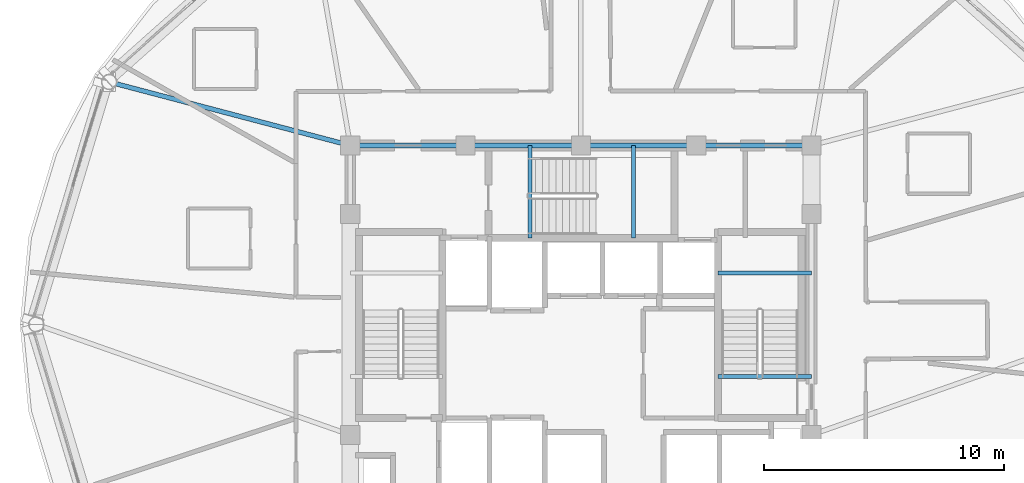
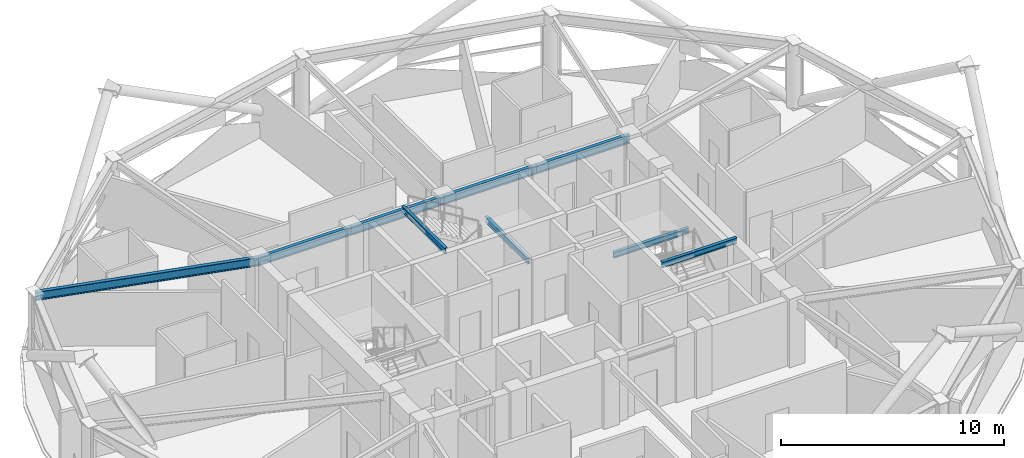
# One storey, part 10 of 30: 9 beams.
"""IFC4 building model written with IfcOpenShell, lengths in metres."""

from ifc_helpers import new_model, si_unit, direction, frame, origin, origin_2d, place, context, subcontext, project, spatial, i_section, extrude, material, material_profile, profile_set, type_object, element, save


model = new_model("IFC4")

# Units and contexts
model_context = context("Model", 3, precision=1e-05, world=origin(), true_north=direction((0.0, 1.0)))
body_context = subcontext(model_context, "Body", "Model", "MODEL_VIEW")
ifc_project = project(units=[si_unit("LENGTHUNIT", "METRE"), si_unit("AREAUNIT", "SQUARE_METRE"), si_unit("VOLUMEUNIT", "CUBIC_METRE"), si_unit("PLANEANGLEUNIT", "RADIAN"), si_unit("MASSUNIT", "GRAM", prefix="KILO")], contexts=[model_context])

# Site, building, storey
site_placement = place(None, origin())
site = spatial("IfcSite", under=ifc_project, at=site_placement, CompositionType="ELEMENT")
building_placement = place(site_placement, origin())
building = spatial("IfcBuilding", under=site, at=building_placement, Name="Vantalir Tower", CompositionType="ELEMENT")
storey_placement = place(building_placement, frame((0.0, 0.0, 189.89990234375)))
storey = spatial("IfcBuildingStorey", under=building, at=storey_placement, Name="L47", CompositionType="ELEMENT", Elevation=189.89990234375)

# Beams
ifc_material = material(Name="Steel S355", Category="steel")
ifc_material_profile_1 = material_profile(ifc_material, i_section(OverallWidth=0.166015625, OverallDepth=0.306884765625, WebThickness=0.006591796875, FlangeThickness=0.01171875, at=origin_2d()), Name="Steel S355")
ifc_profile_set_1 = profile_set([ifc_material_profile_1], Name="Steel S355")
beam_type_1 = type_object("IfcBeamType", Name="BM-JS-305x165", PredefinedType="JOIST", material=ifc_profile_set_1)
for number, where, z_axis, x_axis, name in (
    (1, (37.2099609375, 22.8349609375, 3.59619140625), (1.0, 0.0, 0.0), (0.0, 1.0, 0.0), "L48 Stair ST2 Well Nosing Trimmer Beam"),
    (2, (37.2099609375, 27.14501953125, 1.52099609375), (1.0, 0.0, 0.0), (0.0, 1.0, 0.0), "L47 Stair ST2 Half-Landing Support Beam"),
):
    element("IfcBeam", number, at=place(storey_placement, frame(where, z_axis=z_axis, x_axis=x_axis)), inside=storey, type_object=beam_type_1, Name=name, PredefinedType="JOIST", context=body_context, shape_type="SweptSolid", body=[
        extrude(i_section(OverallWidth=0.166015625, OverallDepth=0.306884765625, WebThickness=0.006591796875, FlangeThickness=0.01171875, at=origin_2d()), origin(), (0.0, 0.0, 1.0), 3.89013671875),
    ])
for number, where, z_axis, x_axis, name in (
    (3, (29.385009765625, 28.60009765625, 3.59619140625), (0.0, 1.0, 0.0), (-1.0, 0.0, 0.0), "L48 Stair ST3 Well Nosing Trimmer Beam"),
    (4, (33.695068359375, 28.60009765625, 1.52099609375), (0.0, 1.0, 0.0), (-1.0, 0.0, 0.0), "L47 Stair ST3 Half-Landing Support Beam"),
):
    element("IfcBeam", number, at=place(storey_placement, frame(where, z_axis=z_axis, x_axis=x_axis)), inside=storey, type_object=beam_type_1, Name=name, PredefinedType="JOIST", context=body_context, shape_type="SweptSolid", body=[
        extrude(i_section(OverallWidth=0.166015625, OverallDepth=0.306884765625, WebThickness=0.006591796875, FlangeThickness=0.01171875, at=origin_2d()), origin(), (0.0, 0.0, 1.0), 3.849853515625),
    ])
ifc_material_profile_2 = material_profile(ifc_material, i_section(OverallWidth=0.19189453125, OverallDepth=0.462890625, WebThickness=0.010498046875, FlangeThickness=0.017578125, at=origin_2d()), Name="Steel S355")
ifc_profile_set_2 = profile_set([ifc_material_profile_2], Name="Steel S355")
beam_type_2 = type_object("IfcBeamType", Name="BM-RB-457x191", PredefinedType="BEAM", material=ifc_profile_set_2)
for number, where, z_axis, x_axis, name in (
    (5, (41.10009765625, 32.449951171875, 3.338134765625), (-1.0, 0.0, 0.0), (0.0, -1.0, 0.0), "L47 Core Coupling Girder 08"),
    (6, (36.300048828125, 32.449951171875, 3.338134765625), (-1.0, 0.0, 0.0), (0.0, -1.0, 0.0), "L47 Core Coupling Girder 09"),
    (7, (31.5, 32.449951171875, 3.338134765625), (-1.0, 0.0, 0.0), (0.0, -1.0, 0.0), "L47 Core Coupling Girder 10"),
    (8, (26.699951171875, 32.449951171875, 3.338134765625), (-1.0, 0.0, 0.0), (0.0, -1.0, 0.0), "L47 Core Coupling Girder 11"),
):
    element("IfcBeam", number, at=place(storey_placement, frame(where, z_axis=z_axis, x_axis=x_axis)), inside=storey, type_object=beam_type_2, Name=name, PredefinedType="BEAM", context=body_context, shape_type="SweptSolid", body=[
        extrude(i_section(OverallWidth=0.19189453125, OverallDepth=0.462890625, WebThickness=0.010498046875, FlangeThickness=0.017578125, at=origin_2d()), origin(), (0.0, 0.0, 1.0), 4.800048828125),
    ])
beam_placement = place(storey_placement, frame((11.862060546875, 35.093994140625, 3.338134765625), z_axis=(0.967015102182, -0.254719045522, 0.0), x_axis=(0.254719045522, 0.967015102182, 0.0)))
element("IfcBeam", 9, at=beam_placement, inside=storey, type_object=beam_type_2, Name="L47 Radial Floor Beam 06", PredefinedType="BEAM", context=body_context, shape_type="SweptSolid", body=[
    extrude(i_section(OverallWidth=0.19189453125, OverallDepth=0.462890625, WebThickness=0.010498046875, FlangeThickness=0.017578125, at=origin_2d()), origin(), (0.0, 0.0, 1.0), 10.380126953125),
])

save(model, "model.ifc")
